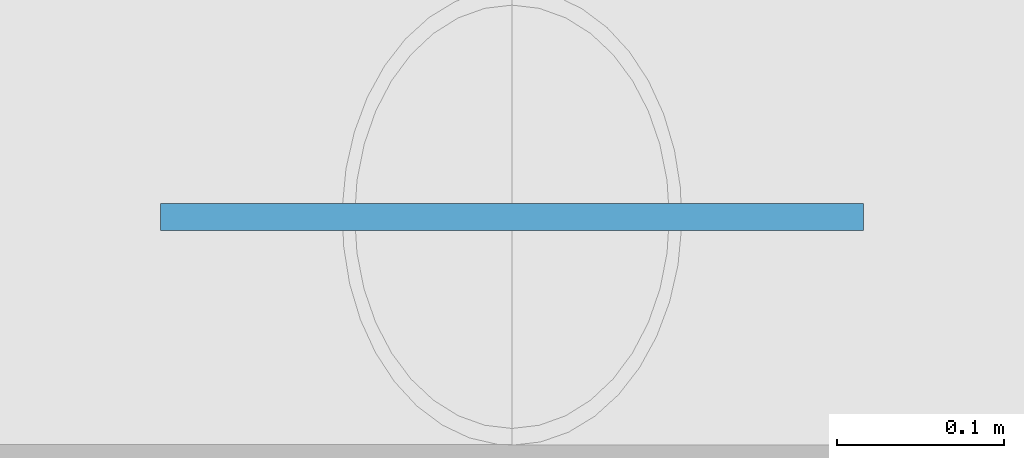
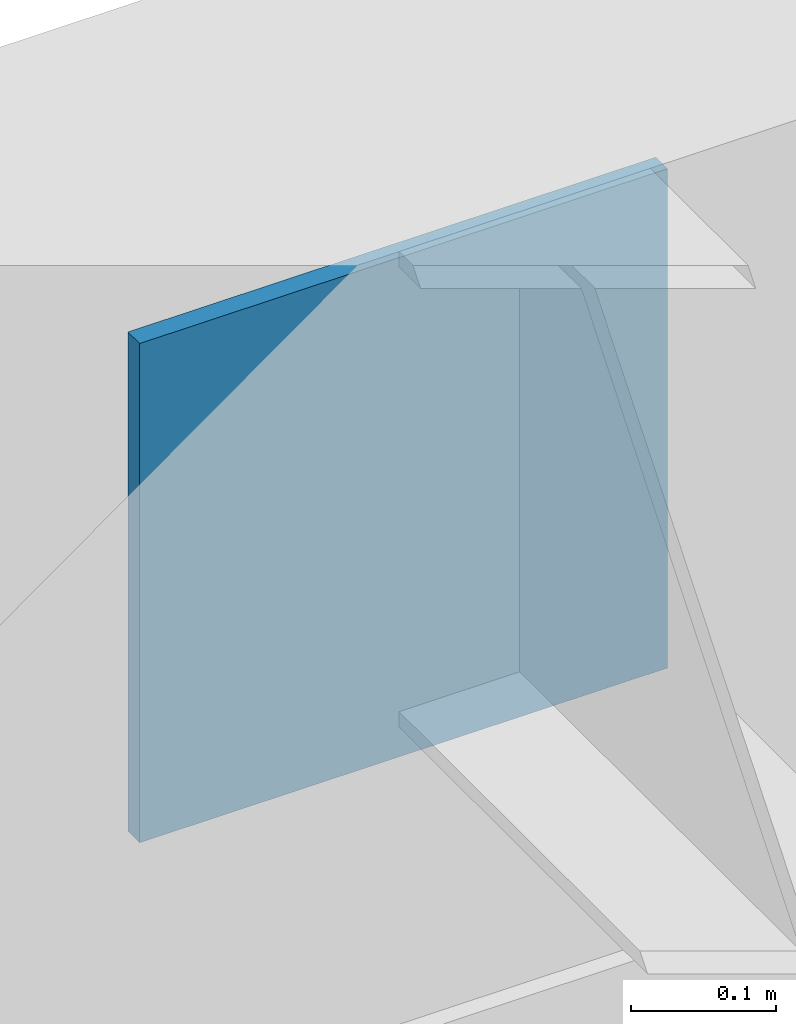
# One storey, part 34 of 68: 1 plate.
"""IFC4 building model written with IfcOpenShell, lengths in metres."""

from ifc_helpers import new_model, si_unit, direction, frame, origin, origin_2d, place, context, subcontext, project, spatial, rectangle, extrude, material, layer, layer_set, type_object, element, save


model = new_model("IFC4")

# Units and contexts
model_context = context("Model", 3, precision=1e-05, world=origin(), true_north=direction((0.0, 1.0)))
body_context = subcontext(model_context, "Body", "Model", "MODEL_VIEW")
ifc_project = project(units=[si_unit("LENGTHUNIT", "METRE"), si_unit("AREAUNIT", "SQUARE_METRE"), si_unit("VOLUMEUNIT", "CUBIC_METRE"), si_unit("PLANEANGLEUNIT", "RADIAN"), si_unit("MASSUNIT", "GRAM", prefix="KILO")], contexts=[model_context])

# Site, building, storey
site_placement = place(None, origin())
site = spatial("IfcSite", under=ifc_project, at=site_placement, CompositionType="ELEMENT")
building_placement = place(site_placement, origin())
building = spatial("IfcBuilding", under=site, at=building_placement, Name="Chengyuan Square Courthouse", CompositionType="ELEMENT")
storey_placement = place(building_placement, frame((0.0, 0.0, 5.39990234375)))
storey = spatial("IfcBuildingStorey", under=building, at=storey_placement, Name="L02", CompositionType="ELEMENT", Elevation=5.39990234375)

# Plate
ifc_material = material(Name="Steel Q355B", Category="steel")
ifc_layer = layer(ifc_material, 0.01611328125)
ifc_layer_set = layer_set([ifc_layer], Name="Steel Q355B")
plate_type = type_object("IfcPlateType", Name="GP-01", PredefinedType="SHEET", material=ifc_layer_set)
plate_placement = place(storey_placement, frame((63.0, 115.199951171875, 4.56005859375), z_axis=(0.0, 0.0, 1.0), x_axis=(1.0, 0.0, 0.0)))
element("IfcPlate", 1, at=plate_placement, inside=storey, type_object=plate_type, Name="Brace Gusset Plate GP-L02-07", PredefinedType="SHEET", context=body_context, shape_type="SweptSolid", body=[
    extrude(rectangle(XDim=0.419921875, YDim=0.01611328125, at=origin_2d()), origin(), (0.0, 0.0, 1.0), 0.419921875),
])

save(model, "model.ifc")
